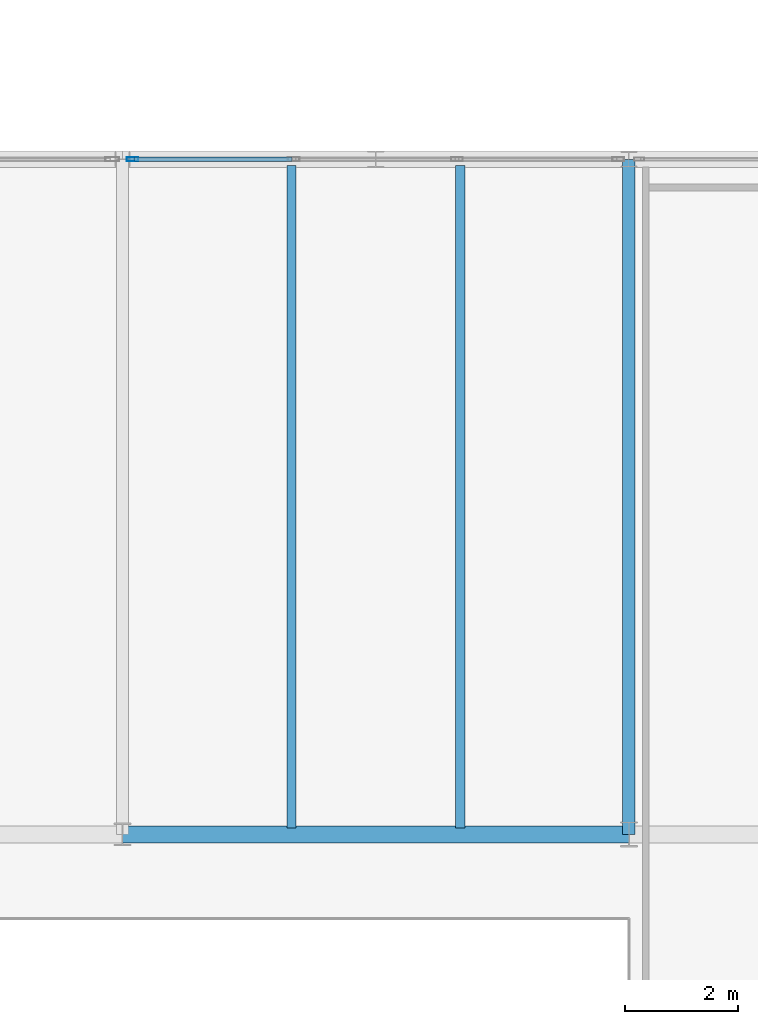
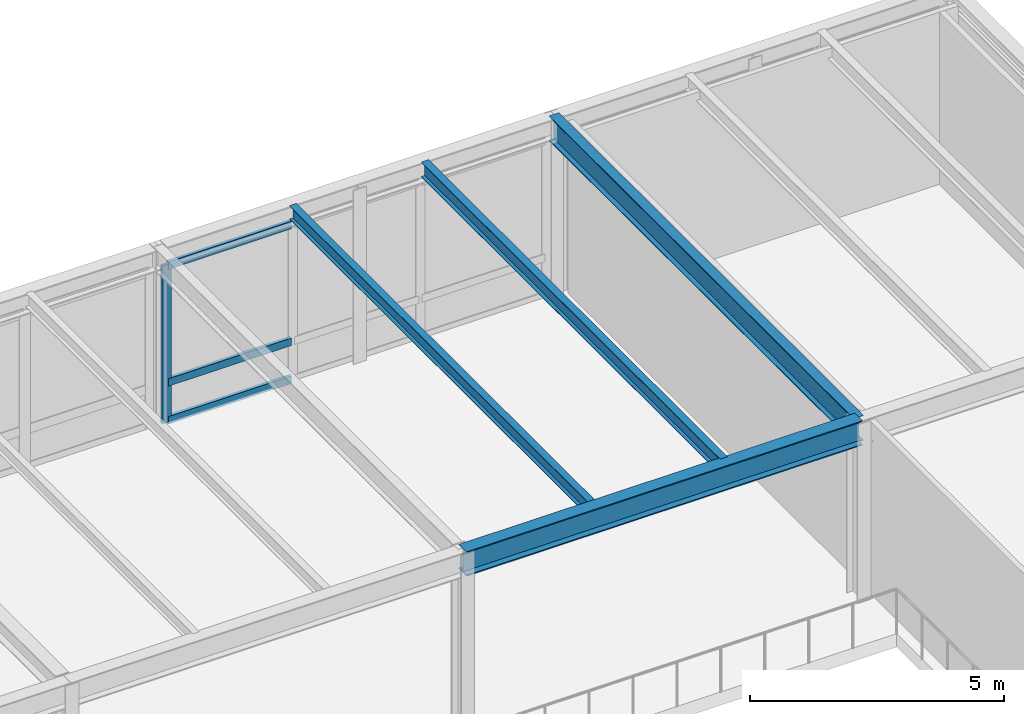
# One storey, part 69 of 115: 4 beams, 4 members, 1 element without a shape of its own.
"""IFC4 building model written with IfcOpenShell, lengths in metres."""

from ifc_helpers import new_model, si_unit, direction, frame, origin, origin_2d, place, context, subcontext, project, spatial, hollow_rectangle, i_section, extrude, material, layer, layer_set, material_profile, profile_set, type_object, element, aggregate, save


model = new_model("IFC4")

# Units and contexts
model_context = context("Model", 3, precision=1e-05, world=origin(), true_north=direction((0.0, 1.0)))
body_context = subcontext(model_context, "Body", "Model", "MODEL_VIEW")
ifc_project = project(units=[si_unit("LENGTHUNIT", "METRE"), si_unit("AREAUNIT", "SQUARE_METRE"), si_unit("VOLUMEUNIT", "CUBIC_METRE"), si_unit("PLANEANGLEUNIT", "RADIAN"), si_unit("MASSUNIT", "GRAM", prefix="KILO")], contexts=[model_context])

# Site, building, storey
site_placement = place(None, origin())
site = spatial("IfcSite", under=ifc_project, at=site_placement, CompositionType="ELEMENT")
building_placement = place(site_placement, origin())
building = spatial("IfcBuilding", under=site, at=building_placement, Name="Montelvaro Courts of Justice", CompositionType="ELEMENT")
storey_placement = place(building_placement, frame((0.0, 0.0, 9.89990234375)))
storey = spatial("IfcBuildingStorey", under=building, at=storey_placement, Name="L02", CompositionType="ELEMENT", Elevation=9.89990234375)

# Beams
ifc_material_1 = material(Name="Steel S355", Category="steel")
ifc_material_profile_1 = material_profile(ifc_material_1, i_section(OverallWidth=0.300048828125, OverallDepth=0.590087890625, WebThickness=0.012939453125, FlangeThickness=0.02490234375, at=origin_2d()), Name="HEA 600")
ifc_profile_set_1 = profile_set([ifc_material_profile_1], Name="Steel S355")
beam_type_1 = type_object("IfcBeamType", Name="Beam_HEA600", PredefinedType="USERDEFINED", material=ifc_profile_set_1)
beam_1_placement = place(storey_placement, frame((63.0, 96.0, 4.005126953125), z_axis=(1.0, 0.0, 0.0), x_axis=(0.0, 1.0, 0.0)))
element("IfcBeam", 1, at=beam_1_placement, inside=storey, type_object=beam_type_1, Name="Beam B-21 L02", ObjectType="GIRDER", PredefinedType="USERDEFINED", context=body_context, shape_type="SweptSolid", body=[
    extrude(i_section(OverallWidth=0.300048828125, OverallDepth=0.590087890625, WebThickness=0.012939453125, FlangeThickness=0.02490234375, at=origin_2d()), origin(), (0.0, 0.0, 1.0), 9.0),
])
ifc_material_profile_2 = material_profile(ifc_material_1, i_section(OverallWidth=0.159912109375, OverallDepth=0.330078125, WebThickness=0.007568359375, FlangeThickness=0.011474609375, at=origin_2d()), Name="IPE 330")
ifc_profile_set_2 = profile_set([ifc_material_profile_2], Name="Steel S355")
beam_type_2 = type_object("IfcBeamType", Name="Beam_IPE330", PredefinedType="BEAM", material=ifc_profile_set_2)
beam_2_placement = place(storey_placement, frame((66.0, 96.110107421875, 4.135009765625), z_axis=(0.0, 1.0, 0.0), x_axis=(-1.0, 0.0, 0.0)))
element("IfcBeam", 2, at=beam_2_placement, inside=storey, type_object=beam_type_2, Name="Beam B-06 L02", PredefinedType="BEAM", context=body_context, shape_type="SweptSolid", body=[
    extrude(i_section(OverallWidth=0.159912109375, OverallDepth=0.330078125, WebThickness=0.007568359375, FlangeThickness=0.011474609375, at=origin_2d()), origin(), (0.0, 0.0, 1.0), 11.77978515625),
])
ifc_material_profile_3 = material_profile(ifc_material_1, i_section(OverallWidth=0.169921875, OverallDepth=0.360107421875, WebThickness=0.008056640625, FlangeThickness=0.0126953125, at=origin_2d()), Name="IPE 360")
ifc_profile_set_3 = profile_set([ifc_material_profile_3], Name="Steel S355")
beam_type_3 = type_object("IfcBeamType", Name="Beam_IPE360", PredefinedType="BEAM", material=ifc_profile_set_3)
beam_3_placement = place(storey_placement, frame((69.0, 96.110107421875, 4.1201171875), z_axis=(0.0, 1.0, 0.0), x_axis=(-1.0, 0.0, 0.0)))
element("IfcBeam", 3, at=beam_3_placement, inside=storey, type_object=beam_type_3, Name="Beam B-07 L02", PredefinedType="BEAM", context=body_context, shape_type="SweptSolid", body=[
    extrude(i_section(OverallWidth=0.169921875, OverallDepth=0.360107421875, WebThickness=0.008056640625, FlangeThickness=0.0126953125, at=origin_2d()), origin(), (0.0, 0.0, 1.0), 11.77978515625),
])
ifc_material_profile_4 = material_profile(ifc_material_1, i_section(OverallWidth=0.219970703125, OverallDepth=0.60009765625, WebThickness=0.011962890625, FlangeThickness=0.01904296875, at=origin_2d()), Name="IPE 600")
ifc_profile_set_4 = profile_set([ifc_material_profile_4], Name="Steel S355")
beam_type_4 = type_object("IfcBeamType", Name="Beam_IPE600", PredefinedType="USERDEFINED", material=ifc_profile_set_4)
beam_4_placement = place(storey_placement, frame((72.0, 96.0, 4.0), z_axis=(0.0, 1.0, 0.0), x_axis=(-1.0, 0.0, 0.0)))
element("IfcBeam", 4, at=beam_4_placement, inside=storey, type_object=beam_type_4, Name="Beam B-12 L02", ObjectType="GIRDER", PredefinedType="USERDEFINED", context=body_context, shape_type="SweptSolid", body=[
    extrude(i_section(OverallWidth=0.219970703125, OverallDepth=0.60009765625, WebThickness=0.011962890625, FlangeThickness=0.01904296875, at=origin_2d()), origin(), (0.0, 0.0, 1.0), 12.0),
])

# Curtain wall, members
ifc_material_2 = material(Name="Anodised aluminium EN AW-6063", Category="aluminium")
ifc_layer = layer(ifc_material_2, 0.159912109375)
ifc_layer_set = layer_set([ifc_layer], Name="Anodised aluminium EN AW-6063")
curtain_wall_type = type_object("IfcCurtainWallType", Name="CurtainWall_18_868x418", PredefinedType="USERDEFINED", material=ifc_layer_set)
curtain_wall_placement = place(storey_placement, origin())
curtain_wall = element("IfcCurtainWall", 5, at=curtain_wall_placement, inside=storey, type_object=curtain_wall_type, Name="Curtain Wall CW-18 (L02)", ObjectType="CURTAIN WALL", PredefinedType="USERDEFINED")
ifc_material_profile_5 = material_profile(ifc_material_2, hollow_rectangle(XDim=0.06494140625, YDim=0.2099609375, WallThickness=0.0048828125, at=origin_2d()), Name="ALU-M 65x210")
ifc_profile_set_5 = profile_set([ifc_material_profile_5], Name="Anodised aluminium EN AW-6063")
member_type_1 = type_object("IfcMemberType", Name="CurtainWall_Mullion_65x210", PredefinedType="MULLION", material=ifc_profile_set_5)
member_1_placement = place(storey_placement, frame((63.177490234375, 108.0, 0.0), z_axis=(0.0, 0.0, 1.0), x_axis=(0.0, -1.0, 0.0)))
member_1 = element("IfcMember", 6, at=member_1_placement, type_object=member_type_1, Name="CW-18 mullion 4", PredefinedType="MULLION", context=body_context, shape_type="SweptSolid", body=[
    extrude(hollow_rectangle(XDim=0.06494140625, YDim=0.2099609375, WallThickness=0.0048828125, at=origin_2d()), origin(), (0.0, 0.0, 1.0), 3.795166015625),
])
ifc_material_profile_6 = material_profile(ifc_material_2, hollow_rectangle(XDim=0.074951171875, YDim=0.179931640625, WallThickness=0.0048828125, at=origin_2d()), Name="ALU-T 75x180")
ifc_profile_set_6 = profile_set([ifc_material_profile_6], Name="Anodised aluminium EN AW-6063")
member_type_2 = type_object("IfcMemberType", Name="CurtainWall_Transom_75x180", PredefinedType="USERDEFINED", material=ifc_profile_set_6)
member_2_placement = place(storey_placement, frame((66.012451171875, 108.0, 0.03759765625), z_axis=(-1.0, 0.0, 0.0), x_axis=(0.0, -1.0, 0.0)))
member_2 = element("IfcMember", 7, at=member_2_placement, type_object=member_type_2, Name="CW-18 transom 3.1", ObjectType="TRANSOM", PredefinedType="USERDEFINED", context=body_context, shape_type="SweptSolid", body=[
    extrude(hollow_rectangle(XDim=0.074951171875, YDim=0.179931640625, WallThickness=0.0048828125, at=origin_2d()), origin(), (0.0, 0.0, 1.0), 2.802490234375),
])
member_3_placement = place(storey_placement, frame((66.012451171875, 108.0, 0.9501953125), z_axis=(-1.0, 0.0, 0.0), x_axis=(0.0, -1.0, 0.0)))
member_3 = element("IfcMember", 8, at=member_3_placement, type_object=member_type_2, Name="CW-18 transom 3.2", ObjectType="TRANSOM", PredefinedType="USERDEFINED", context=body_context, shape_type="SweptSolid", body=[
    extrude(hollow_rectangle(XDim=0.074951171875, YDim=0.179931640625, WallThickness=0.0048828125, at=origin_2d()), origin(), (0.0, 0.0, 1.0), 2.802490234375),
])
member_4_placement = place(storey_placement, frame((66.012451171875, 108.0, 3.757568359375), z_axis=(-1.0, 0.0, 0.0), x_axis=(0.0, -1.0, 0.0)))
member_4 = element("IfcMember", 9, at=member_4_placement, type_object=member_type_2, Name="CW-18 transom 3.3", ObjectType="TRANSOM", PredefinedType="USERDEFINED", context=body_context, shape_type="SweptSolid", body=[
    extrude(hollow_rectangle(XDim=0.074951171875, YDim=0.179931640625, WallThickness=0.0048828125, at=origin_2d()), origin(), (0.0, 0.0, 1.0), 2.802490234375),
])
aggregate(curtain_wall, [member_1, member_2, member_3, member_4])

save(model, "model.ifc")
